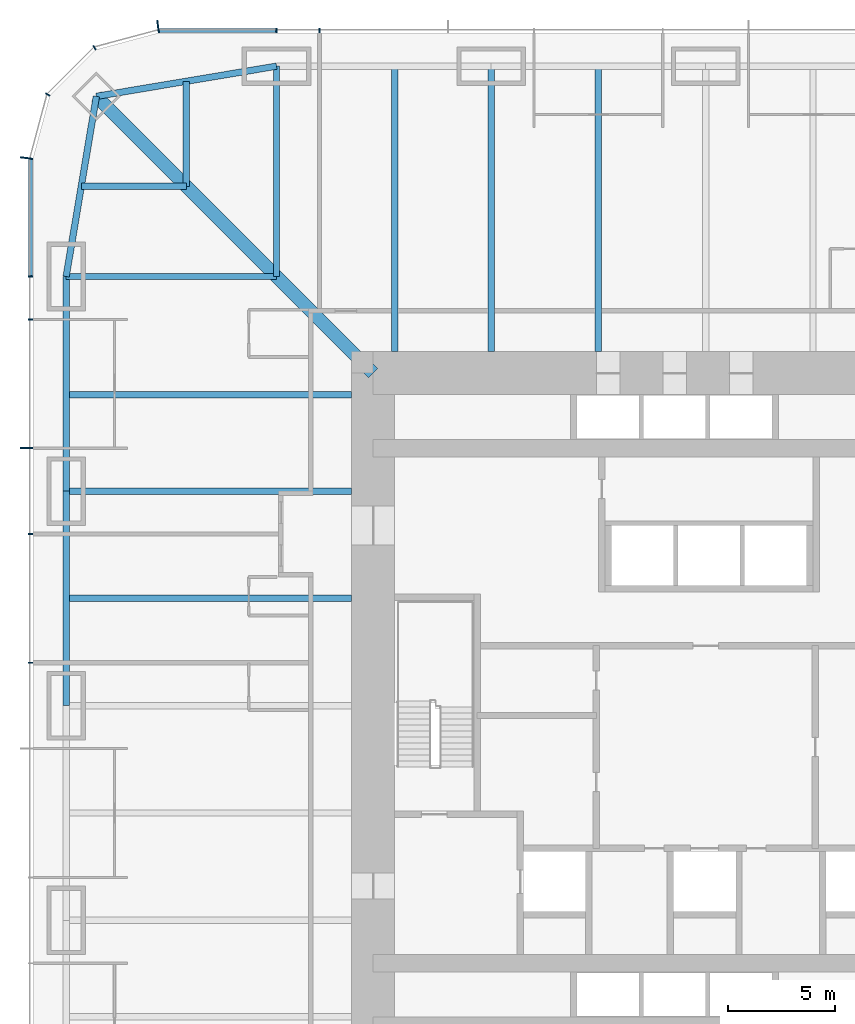
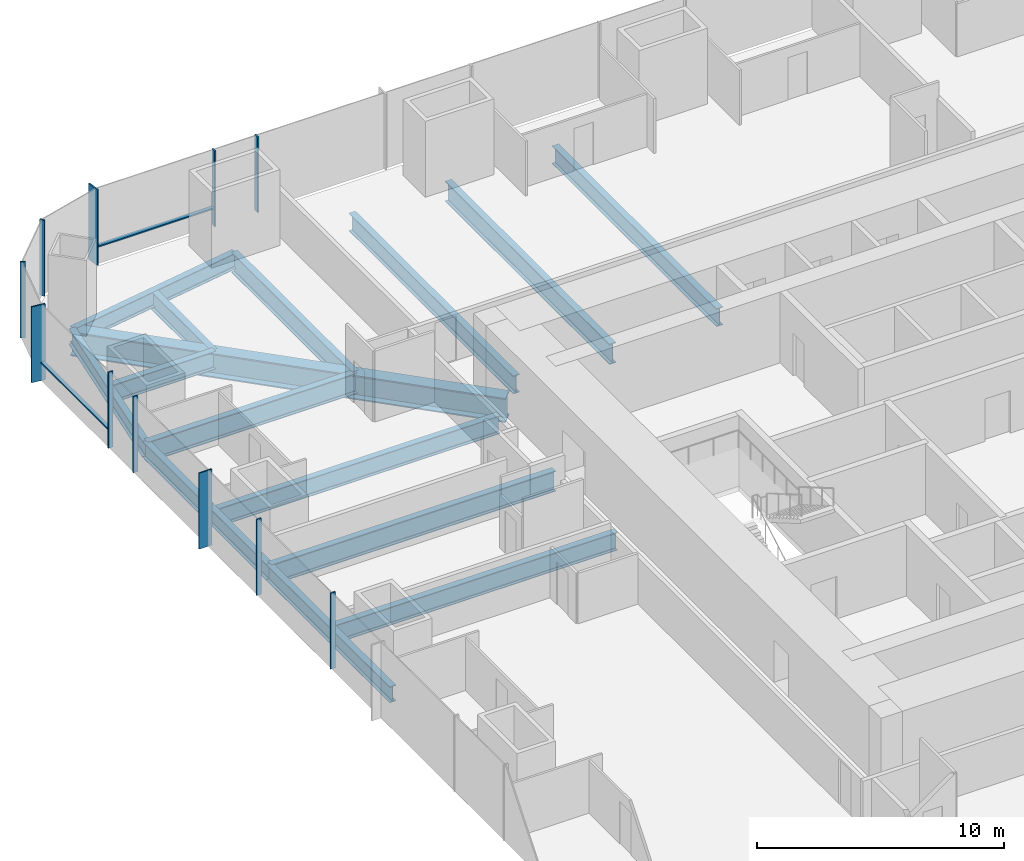
# One storey, part 6 of 17: 15 beams, 13 members, 3 elements without a shape of their own.
"""IFC4 building model written with IfcOpenShell, lengths in metres."""

import ifcopenshell
import ifcopenshell.guid

model = None  # the IFC model being written
_history = None  # IfcOwnerHistory: only IFC2X3 demands one
_inside = {}  # id of a spatial element -> (the spatial element, [elements in it])
_under = {}  # id of a project, library or spatial element -> (it, [spatial elements below it])
_declared = {}  # id of a project -> (the project, [libraries it declares])
_typed = {}  # id of a type object -> (the type object, [elements of that type])
_made_of = {}  # id of a material, layer set ... -> (it, [elements and type objects made of it])


def new_model(schema):
    """Start an empty IFC model of exactly this schema.

    Asked for "IFC4X3", IfcOpenShell would pick the latest addendum, in which some entities
    have other attributes; the version numbers below select the first issue.
    IFC2X3 requires an IfcOwnerHistory on every rooted entity: one is made here for all.
    """
    global model, _history
    if schema == "IFC4X3":
        model = ifcopenshell.file(schema_version=(4, 3, 0, 0))
    else:
        model = ifcopenshell.file(schema=schema)
    _inside.clear()
    _under.clear()
    _declared.clear()
    _typed.clear()
    _made_of.clear()
    _history = None
    if model.schema == "IFC2X3":
        org = make("IfcOrganization", Name="unknown")
        user = make(
            "IfcPersonAndOrganization",
            ThePerson=make("IfcPerson", FamilyName="unknown"),
            TheOrganization=org,
        )
        app = make(
            "IfcApplication",
            ApplicationDeveloper=org,
            Version="unknown",
            ApplicationFullName="unknown",
            ApplicationIdentifier="unknown",
        )
        _history = make(
            "IfcOwnerHistory",
            OwningUser=user,
            OwningApplication=app,
            ChangeAction="ADDED",
            CreationDate=0,
        )
    return model


def make(cls, **values):
    """One entity of the class cls with the attributes given. An attribute that is None is left unset."""
    return model.create_entity(
        cls, **{name: value for name, value in values.items() if value is not None}
    )


def rooted(cls, **values):
    """An entity with a GlobalId (a new one), such as an element, a storey or a relation."""
    return make(cls, GlobalId=ifcopenshell.guid.new(), OwnerHistory=_history, **values)


def si_unit(unit_type, name, prefix=None):
    """IfcSIUnit, for example si_unit("LENGTHUNIT", "METRE", prefix="MILLI")."""
    return make("IfcSIUnit", UnitType=unit_type, Prefix=prefix, Name=name)


def assignment(units):
    """IfcUnitAssignment: the units of a project."""
    return None if units is None else make("IfcUnitAssignment", Units=units)


def point(xyz):
    """IfcCartesianPoint."""
    return None if xyz is None else make("IfcCartesianPoint", Coordinates=xyz)


def direction(xyz):
    """IfcDirection."""
    return None if xyz is None else make("IfcDirection", DirectionRatios=xyz)


def frame(location, z_axis=None, x_axis=None):
    """IfcAxis2Placement3D, a coordinate frame: its origin and axes. An axis left out is left unset."""
    return make(
        "IfcAxis2Placement3D",
        Location=point(location),
        Axis=direction(z_axis),
        RefDirection=direction(x_axis),
    )


def frame_2d(location, x_axis=None):
    """IfcAxis2Placement2D, a coordinate frame in the plane: its origin and x axis."""
    return make(
        "IfcAxis2Placement2D", Location=point(location), RefDirection=direction(x_axis)
    )


def origin():
    """The frame at (0, 0, 0) with its axes left unset."""
    return frame((0.0, 0.0, 0.0))


def origin_2d():
    """The frame at (0, 0) in the plane with its x axis left unset."""
    return frame_2d((0.0, 0.0))


def place(relative_to, where):
    """IfcLocalPlacement: puts the frame where relative to a parent placement (None: the world)."""
    return make(
        "IfcLocalPlacement", PlacementRelTo=relative_to, RelativePlacement=where
    )


def context(
    kind, dimensions, precision=None, world=None, true_north=None, identifier=None
):
    """IfcGeometricRepresentationContext, for example the 3D "Model" context."""
    return make(
        "IfcGeometricRepresentationContext",
        ContextIdentifier=identifier,
        ContextType=kind,
        CoordinateSpaceDimension=dimensions,
        Precision=precision,
        WorldCoordinateSystem=world,
        TrueNorth=true_north,
    )


def subcontext(parent, identifier, kind, view, scale=None):
    """IfcGeometricRepresentationSubContext, for example "Body" below "Model"."""
    return make(
        "IfcGeometricRepresentationSubContext",
        ContextIdentifier=identifier,
        ContextType=kind,
        ParentContext=parent,
        TargetScale=scale,
        TargetView=view,
    )


def project(units=None, contexts=None):
    """IfcProject with its units and contexts."""
    return rooted(
        "IfcProject",
        Name="project",
        RepresentationContexts=contexts,
        UnitsInContext=assignment(units),
    )


def spatial(cls, under=None, at=None, **own):
    """A site, building, storey or space (cls), placed at a placement, below another one or the project."""
    s = rooted(cls, ObjectPlacement=at, **own)
    if under is not None:
        _under.setdefault(under.id(), (under, []))[1].append(s)
    return s


def profile(cls, at=None, kind="AREA", **sizes):
    """A parametric profile (cls). Its sizes go by their IFC names, for example OverallWidth=200.0."""
    return make(cls, ProfileType=kind, Position=at, **sizes)


def rectangle(**sizes):
    """IfcRectangleProfileDef."""
    return profile("IfcRectangleProfileDef", **sizes)


def i_section(**sizes):
    """IfcIShapeProfileDef."""
    return profile("IfcIShapeProfileDef", **sizes)


def extrude(swept, where, along, depth):
    """IfcExtrudedAreaSolid: the profile swept, set in the frame where, extruded along a direction by depth."""
    return make(
        "IfcExtrudedAreaSolid",
        SweptArea=swept,
        Position=where,
        ExtrudedDirection=direction(along),
        Depth=depth,
    )


def shape(context_of_items, identifier, shape_type, items):
    """IfcShapeRepresentation: the items that make up one representation, for example the "Body"."""
    return make(
        "IfcShapeRepresentation",
        ContextOfItems=context_of_items,
        RepresentationIdentifier=identifier,
        RepresentationType=shape_type,
        Items=items,
    )


def material(Name=None, Category=None):
    """IfcMaterial."""
    return make("IfcMaterial", Name=Name, Category=Category)


def material_profile(
    of_material, cross_section, Name=None, Category=None, Priority=None
):
    """IfcMaterialProfile: a cross section and its material."""
    return make(
        "IfcMaterialProfile",
        Name=Name,
        Material=of_material,
        Profile=cross_section,
        Priority=Priority,
        Category=Category,
    )


def profile_set(profiles, Name=None, composite=None):
    """IfcMaterialProfileSet."""
    return make(
        "IfcMaterialProfileSet",
        Name=Name,
        MaterialProfiles=profiles,
        CompositeProfile=composite,
    )


def made_of(thing, what):
    """Note that an element or type object is made of a material, layer set ...; save() writes the relation."""
    if what is not None:
        _made_of.setdefault(what.id(), (what, []))[1].append(thing)
    return thing


def type_object(cls, material=None, **own):
    """A type object (cls), such as IfcWallType, which elements share."""
    return made_of(rooted(cls, **own), material)


def element(
    cls,
    number,
    at=None,
    inside=None,
    cuts=None,
    type_object=None,
    material=None,
    context=None,
    identifier="Body",
    shape_type=None,
    held_by="IfcProductDefinitionShape",
    body=None,
    shapes=None,
    **own,
):
    """One element of the class cls, such as IfcWall. Its Tag is "e" and its number.

    at: its placement. inside: the storey or other place that contains it. cuts: it is an
    opening in that element (IfcRelVoidsElement). A single representation is given by context,
    identifier, shape_type and body (its items); several are given by shapes. held_by: the class
    of the entity that holds the representations. save() writes the other relations.
    """
    e = rooted(cls, Tag="e%d" % number, ObjectPlacement=at, **own)
    if body is not None:
        shapes = [shape(context, identifier, shape_type, body)]
    if shapes is not None:
        e.Representation = make(held_by, Representations=shapes)
    if inside is not None:
        _inside.setdefault(inside.id(), (inside, []))[1].append(e)
    if cuts is not None:
        rooted(
            "IfcRelVoidsElement", RelatingBuildingElement=cuts, RelatedOpeningElement=e
        )
    if type_object is not None:
        _typed.setdefault(type_object.id(), (type_object, []))[1].append(e)
    return made_of(e, material)


def aggregate(whole, parts):
    """IfcRelAggregates: a whole, such as a stair, and the parts it consists of."""
    return rooted("IfcRelAggregates", RelatingObject=whole, RelatedObjects=parts)


def save(model, path):
    """Write the relations noted so far, then the file.

    IfcRelAggregates (storeys below a building ...), IfcRelContainedInSpatialStructure (elements
    in a storey), IfcRelDefinesByType, IfcRelAssociatesMaterial and IfcRelDeclares: one each for
    every whole, place, type object, material and project.
    """
    for whole, parts in _under.values():
        aggregate(whole, parts)
    for where, things in _inside.values():
        rooted(
            "IfcRelContainedInSpatialStructure",
            RelatedElements=things,
            RelatingStructure=where,
        )
    for kind, things in _typed.values():
        rooted("IfcRelDefinesByType", RelatedObjects=things, RelatingType=kind)
    for what, things in _made_of.values():
        rooted("IfcRelAssociatesMaterial", RelatedObjects=things, RelatingMaterial=what)
    for by, libraries in _declared.values():
        rooted("IfcRelDeclares", RelatingContext=by, RelatedDefinitions=libraries)
    model.write(path)


model = new_model("IFC4")

# Units and contexts
model_context = context("Model", 3, precision=1e-05, world=origin(), true_north=direction((0.0, 1.0)))
body_context = subcontext(model_context, "Body", "Model", "MODEL_VIEW")
ifc_project = project(units=[si_unit("LENGTHUNIT", "METRE"), si_unit("AREAUNIT", "SQUARE_METRE"), si_unit("VOLUMEUNIT", "CUBIC_METRE"), si_unit("PLANEANGLEUNIT", "RADIAN"), si_unit("MASSUNIT", "GRAM", prefix="KILO")], contexts=[model_context])

# Site, building, storey
site_placement = place(None, origin())
site = spatial("IfcSite", under=ifc_project, at=site_placement, CompositionType="ELEMENT")
building_placement = place(site_placement, origin())
building = spatial("IfcBuilding", under=site, at=building_placement, Name="Khuree Lantern Residences", CompositionType="ELEMENT")
storey_placement = place(building_placement, frame((0.0, 0.0, 58.5)))
storey = spatial("IfcBuildingStorey", under=building, at=storey_placement, Name="L14", CompositionType="ELEMENT", Elevation=58.5)

# Beams
ifc_material_1 = material(Name="Steel S355", Category="steel")
ifc_material_profile_1 = material_profile(ifc_material_1, i_section(OverallWidth=0.300048828125, OverallDepth=0.889892578125, WebThickness=0.01611328125, FlangeThickness=0.030029296875, FilletRadius=0.030029296875, at=origin_2d()), Name="HE 900 A")
ifc_profile_set_1 = profile_set([ifc_material_profile_1], Name="Steel S355")
beam_type_1 = type_object("IfcBeamType", Name="B-13 SECONDARY BEAM HE 900 A", PredefinedType="BEAM", material=ifc_profile_set_1)
for number, where, z_axis, x_axis, name in (
    (1, (-14.5, 29.800048828125, -0.695068359375), (0.0, -1.0, 0.0), (1.0, 0.0, 0.0), "Secondary beam N1"),
    (2, (-5.0, 29.800048828125, -0.695068359375), (0.0, -1.0, 0.0), (1.0, 0.0, 0.0), "Secondary beam N2"),
    (3, (-29.800048828125, 5.0, -0.695068359375), (1.0, 0.0, 0.0), (0.0, 1.0, 0.0), "Secondary beam W4"),
    (4, (-29.800048828125, 14.5, -0.695068359375), (1.0, 0.0, 0.0), (0.0, 1.0, 0.0), "Secondary beam W5"),
):
    element("IfcBeam", number, at=place(storey_placement, frame(where, z_axis=z_axis, x_axis=x_axis)), inside=storey, type_object=beam_type_1, Name=name, PredefinedType="BEAM", context=body_context, shape_type="SweptSolid", body=[
        extrude(i_section(OverallWidth=0.300048828125, OverallDepth=0.889892578125, WebThickness=0.01611328125, FlangeThickness=0.030029296875, FilletRadius=0.030029296875, at=origin_2d()), origin(), (0.0, 0.0, 1.0), 13.300048828125),
    ])
for number, where, z_axis, x_axis, name in (
    (5, (-29.09716796875, 24.197021484375, -0.695068359375), (1.0, 0.0, 0.0), (0.0, 1.0, 0.0), "Secondary beam W6"),
    (6, (-24.197021484375, 29.09716796875, -0.695068359375), (0.0, -1.0, 0.0), (1.0, 0.0, 0.0), "Secondary beam N6"),
):
    element("IfcBeam", number, at=place(storey_placement, frame(where, z_axis=z_axis, x_axis=x_axis)), inside=storey, type_object=beam_type_1, Name=name, PredefinedType="BEAM", context=body_context, shape_type="SweptSolid", body=[
        extrude(i_section(OverallWidth=0.300048828125, OverallDepth=0.889892578125, WebThickness=0.01611328125, FlangeThickness=0.030029296875, FilletRadius=0.030029296875, at=origin_2d()), origin(), (0.0, 0.0, 1.0), 4.900146484375),
    ])
ifc_material_profile_2 = material_profile(ifc_material_1, i_section(OverallWidth=0.300048828125, OverallDepth=0.7900390625, WebThickness=0.014892578125, FlangeThickness=0.028076171875, FilletRadius=0.030029296875, at=origin_2d()), Name="HE 800 A")
ifc_profile_set_2 = profile_set([ifc_material_profile_2], Name="Steel S355")
beam_type_2 = type_object("IfcBeamType", Name="E-13 SPANDREL BEAM HE 800 A", PredefinedType="SPANDREL", material=ifc_profile_set_2)
for number, where, z_axis, x_axis, name in (
    (7, (-29.800048828125, 0.0, -0.64501953125), (0.0, 1.0, 0.0), (-1.0, 0.0, 0.0), "Spandrel beam W4"),
    (8, (-29.800048828125, 10.0, -0.64501953125), (0.0, 1.0, 0.0), (-1.0, 0.0, 0.0), "Spandrel beam W5"),
):
    element("IfcBeam", number, at=place(storey_placement, frame(where, z_axis=z_axis, x_axis=x_axis)), inside=storey, type_object=beam_type_2, Name=name, PredefinedType="SPANDREL", context=body_context, shape_type="SweptSolid", body=[
        extrude(i_section(OverallWidth=0.300048828125, OverallDepth=0.7900390625, WebThickness=0.014892578125, FlangeThickness=0.028076171875, FilletRadius=0.030029296875, at=origin_2d()), origin(), (0.0, 0.0, 1.0), 10.0),
    ])
for number, where, z_axis, x_axis, name in (
    (9, (-29.800048828125, 20.0, -0.64501953125), (0.165199022349, 0.986260251158, 0.0), (-0.986260251158, 0.165199022349, 0.0), "Spandrel beam W6"),
    (10, (-28.39404296875, 28.39404296875, -0.64501953125), (0.986260251158, 0.165199022349, 0.0), (-0.165199022349, 0.986260251158, 0.0), "Spandrel beam N6"),
):
    element("IfcBeam", number, at=place(storey_placement, frame(where, z_axis=z_axis, x_axis=x_axis)), inside=storey, type_object=beam_type_2, Name=name, PredefinedType="SPANDREL", context=body_context, shape_type="SweptSolid", body=[
        extrude(i_section(OverallWidth=0.300048828125, OverallDepth=0.7900390625, WebThickness=0.014892578125, FlangeThickness=0.028076171875, FilletRadius=0.030029296875, at=origin_2d()), origin(), (0.0, 0.0, 1.0), 8.510986328125),
    ])

# Curtain wall, member
ifc_material_2 = material(Name="Bronze anodised aluminium", Category="aluminium")
curtain_wall_type_1 = type_object("IfcCurtainWallType", Name="CW-T2 TOWER CORNER CURTAIN WALL", PredefinedType="USERDEFINED", material=ifc_material_2)
curtain_wall_1_placement = place(storey_placement, origin())
curtain_wall_1 = element("IfcCurtainWall", 11, at=curtain_wall_1_placement, inside=storey, type_object=curtain_wall_type_1, Name="L14 NORTH-WEST CORNER CURTAIN WALL", ObjectType="Faceted corner curtain wall", PredefinedType="USERDEFINED")
ifc_material_profile_3 = material_profile(ifc_material_2, rectangle(XDim=0.06494140625, YDim=0.60009765625, at=origin_2d()), Name="F1 65X600")
ifc_profile_set_3 = profile_set([ifc_material_profile_3], Name="Bronze anodised aluminium")
member_type_1 = type_object("IfcMemberType", Name="F1 BRONZE FIN MULLION TOWER 65X600", PredefinedType="MULLION", material=ifc_profile_set_3)
member_1_placement = place(storey_placement, frame((-25.519775390625, 31.650146484375, 0.0), z_axis=(0.0, 0.0, 1.0), x_axis=(-0.991444852794, -0.130526257387, 0.0)))
member_1 = element("IfcMember", 12, at=member_1_placement, type_object=member_type_1, Name="L14 NORTH-WEST CORNER FIN MULLION 29", PredefinedType="MULLION", context=body_context, shape_type="SweptSolid", body=[
    extrude(rectangle(XDim=0.06494140625, YDim=0.60009765625, at=origin_2d()), origin(), (0.0, 0.0, 1.0), 3.75),
])

# Curtain wall, members
curtain_wall_type_2 = type_object("IfcCurtainWallType", Name="CW-T1 TOWER FACE CURTAIN WALL", PredefinedType="USERDEFINED", material=ifc_material_2)
curtain_wall_2_placement = place(storey_placement, origin())
curtain_wall_2 = element("IfcCurtainWall", 13, at=curtain_wall_2_placement, inside=storey, type_object=curtain_wall_type_2, Name="L14 WEST FACE CURTAIN WALL", ObjectType="Stick-built curtain wall", PredefinedType="USERDEFINED")
member_2_placement = place(storey_placement, frame((-31.650146484375, 25.519775390625, 0.0), z_axis=(0.0, 0.0, 1.0), x_axis=(-0.130526257387, -0.991444852794, 0.0)))
member_2 = element("IfcMember", 14, at=member_2_placement, type_object=member_type_1, Name="L14 WEST FACE FIN MULLION 32", PredefinedType="MULLION", context=body_context, shape_type="SweptSolid", body=[
    extrude(rectangle(XDim=0.06494140625, YDim=0.60009765625, at=origin_2d()), origin(), (0.0, 0.0, 1.0), 3.75),
])
member_3_placement = place(storey_placement, frame((-31.64990234375, 12.0, 0.0), z_axis=(0.0, 0.0, 1.0), x_axis=(0.0, -1.0, 0.0)))
member_3 = element("IfcMember", 15, at=member_3_placement, type_object=member_type_1, Name="L14 WEST FACE FIN MULLION 35", PredefinedType="MULLION", context=body_context, shape_type="SweptSolid", body=[
    extrude(rectangle(XDim=0.06494140625, YDim=0.60009765625, at=origin_2d()), origin(), (0.0, 0.0, 1.0), 3.75),
])

# Beams
ifc_material_profile_4 = material_profile(ifc_material_1, i_section(OverallWidth=0.302001953125, OverallDepth=1.008056640625, WebThickness=0.02099609375, FlangeThickness=0.0400390625, FilletRadius=0.030029296875, at=origin_2d()), Name="HE 1000 M")
ifc_profile_set_4 = profile_set([ifc_material_profile_4], Name="Steel S355")
beam_type_3 = type_object("IfcBeamType", Name="G-13 GIRDER HE 1000 M", PredefinedType="BEAM", material=ifc_profile_set_4)
beam_1_placement = place(storey_placement, frame((-20.0, 29.800048828125, -0.75390625), z_axis=(0.0, -1.0, 0.0), x_axis=(1.0, 0.0, 0.0)))
element("IfcBeam", 16, at=beam_1_placement, inside=storey, type_object=beam_type_3, Name="Girder N1", PredefinedType="BEAM", context=body_context, shape_type="SweptSolid", body=[
    extrude(i_section(OverallWidth=0.302001953125, OverallDepth=1.008056640625, WebThickness=0.02099609375, FlangeThickness=0.0400390625, FilletRadius=0.030029296875, at=origin_2d()), origin(), (0.0, 0.0, 1.0), 9.800048828125),
])
for number, where, z_axis, x_axis, name in (
    (17, (-10.0, 29.800048828125, -0.75390625), (0.0, -1.0, 0.0), (1.0, 0.0, 0.0), "Girder N2"),
    (18, (-29.800048828125, 10.0, -0.75390625), (1.0, 0.0, 0.0), (0.0, 1.0, 0.0), "Girder W4"),
):
    element("IfcBeam", number, at=place(storey_placement, frame(where, z_axis=z_axis, x_axis=x_axis)), inside=storey, type_object=beam_type_3, Name=name, PredefinedType="BEAM", context=body_context, shape_type="SweptSolid", body=[
        extrude(i_section(OverallWidth=0.302001953125, OverallDepth=1.008056640625, WebThickness=0.02099609375, FlangeThickness=0.0400390625, FilletRadius=0.030029296875, at=origin_2d()), origin(), (0.0, 0.0, 1.0), 13.300048828125),
    ])
beam_2_placement = place(storey_placement, frame((-29.800048828125, 20.0, -0.75390625), z_axis=(1.0, 0.0, 0.0), x_axis=(0.0, 1.0, 0.0)))
element("IfcBeam", 19, at=beam_2_placement, inside=storey, type_object=beam_type_3, Name="Girder W5", PredefinedType="BEAM", context=body_context, shape_type="SweptSolid", body=[
    extrude(i_section(OverallWidth=0.302001953125, OverallDepth=1.008056640625, WebThickness=0.02099609375, FlangeThickness=0.0400390625, FilletRadius=0.030029296875, at=origin_2d()), origin(), (0.0, 0.0, 1.0), 9.800048828125),
])
ifc_material_profile_5 = material_profile(ifc_material_1, i_section(OverallWidth=0.60009765625, OverallDepth=1.199951171875, WebThickness=0.030029296875, FlangeThickness=0.06005859375, at=origin_2d()), Name="WELDED I 1200X600X30X60")
ifc_profile_set_5 = profile_set([ifc_material_profile_5], Name="Steel S355")
beam_type_4 = type_object("IfcBeamType", Name="GD-13 CORNER GIRDER WELDED I 1200X600X30X60", PredefinedType="BEAM", material=ifc_profile_set_5)
beam_3_placement = place(storey_placement, frame((-28.39404296875, 28.39404296875, -0.85009765625), z_axis=(0.707106781187, -0.707106781187, 0.0), x_axis=(0.707106781187, 0.707106781187, 0.0)))
element("IfcBeam", 20, at=beam_3_placement, inside=storey, type_object=beam_type_4, Name="Corner girder NW", PredefinedType="BEAM", context=body_context, shape_type="SweptSolid", body=[
    extrude(i_section(OverallWidth=0.60009765625, OverallDepth=1.199951171875, WebThickness=0.030029296875, FlangeThickness=0.06005859375, at=origin_2d()), origin(), (0.0, 0.0, 1.0), 18.23486328125),
])

# Curtain wall, members
curtain_wall_3_placement = place(storey_placement, origin())
curtain_wall_3 = element("IfcCurtainWall", 21, at=curtain_wall_3_placement, inside=storey, type_object=curtain_wall_type_2, Name="L14 NORTH FACE CURTAIN WALL", ObjectType="Stick-built curtain wall", PredefinedType="USERDEFINED")
ifc_material_profile_6 = material_profile(ifc_material_2, rectangle(XDim=0.06494140625, YDim=0.219970703125, at=origin_2d()), Name="M1 65X220")
ifc_profile_set_6 = profile_set([ifc_material_profile_6], Name="Bronze anodised aluminium")
member_type_2 = type_object("IfcMemberType", Name="M1 BRONZE MULLION TOWER 65X220", PredefinedType="MULLION", material=ifc_profile_set_6)
member_4_placement = place(storey_placement, frame((-18.0, 31.4599609375, 0.0), z_axis=(0.0, 0.0, 1.0), x_axis=(-1.0, 0.0, 0.0)))
member_4 = element("IfcMember", 22, at=member_4_placement, type_object=member_type_2, Name="L14 NORTH FACE MULLION 27", PredefinedType="MULLION", context=body_context, shape_type="SweptSolid", body=[
    extrude(rectangle(XDim=0.06494140625, YDim=0.219970703125, at=origin_2d()), origin(), (0.0, 0.0, 1.0), 3.75),
])
member_5_placement = place(storey_placement, frame((-20.0, 31.4599609375, 0.0), z_axis=(0.0, 0.0, 1.0), x_axis=(-1.0, 0.0, 0.0)))
member_5 = element("IfcMember", 23, at=member_5_placement, type_object=member_type_2, Name="L14 NORTH FACE MULLION 28", PredefinedType="MULLION", context=body_context, shape_type="SweptSolid", body=[
    extrude(rectangle(XDim=0.06494140625, YDim=0.219970703125, at=origin_2d()), origin(), (0.0, 0.0, 1.0), 3.75),
])

# Member
member_6_placement = place(storey_placement, frame((-28.47998046875, 30.66162109375, 0.0), z_axis=(0.0, 0.0, 1.0), x_axis=(-0.86602537092, -0.500000056923, 0.0)))
member_6 = element("IfcMember", 24, at=member_6_placement, type_object=member_type_2, Name="L14 NORTH-WEST CORNER MULLION 30", PredefinedType="MULLION", context=body_context, shape_type="SweptSolid", body=[
    extrude(rectangle(XDim=0.06494140625, YDim=0.219970703125, at=origin_2d()), origin(), (0.0, 0.0, 1.0), 3.75),
])

member_7_placement = place(storey_placement, frame((-30.66162109375, 28.47998046875, 0.0), z_axis=(0.0, 0.0, 1.0), x_axis=(-0.500000056923, -0.86602537092, 0.0)))
member_7 = element("IfcMember", 25, at=member_7_placement, type_object=member_type_2, Name="L14 NORTH-WEST CORNER MULLION 31", PredefinedType="MULLION", context=body_context, shape_type="SweptSolid", body=[
    extrude(rectangle(XDim=0.06494140625, YDim=0.219970703125, at=origin_2d()), origin(), (0.0, 0.0, 1.0), 3.75),
])

aggregate(curtain_wall_1, [member_1, member_6, member_7])

member_8_placement = place(storey_placement, frame((-31.4599609375, 20.0, 0.0), z_axis=(0.0, 0.0, 1.0), x_axis=(0.0, -1.0, 0.0)))
member_8 = element("IfcMember", 26, at=member_8_placement, type_object=member_type_2, Name="L14 WEST FACE MULLION 33", PredefinedType="MULLION", context=body_context, shape_type="SweptSolid", body=[
    extrude(rectangle(XDim=0.06494140625, YDim=0.219970703125, at=origin_2d()), origin(), (0.0, 0.0, 1.0), 3.75),
])

member_9_placement = place(storey_placement, frame((-31.4599609375, 18.0, 0.0), z_axis=(0.0, 0.0, 1.0), x_axis=(0.0, -1.0, 0.0)))
member_9 = element("IfcMember", 27, at=member_9_placement, type_object=member_type_2, Name="L14 WEST FACE MULLION 34", PredefinedType="MULLION", context=body_context, shape_type="SweptSolid", body=[
    extrude(rectangle(XDim=0.06494140625, YDim=0.219970703125, at=origin_2d()), origin(), (0.0, 0.0, 1.0), 3.75),
])

member_10_placement = place(storey_placement, frame((-31.4599609375, 8.0, 0.0), z_axis=(0.0, 0.0, 1.0), x_axis=(0.0, -1.0, 0.0)))
member_10 = element("IfcMember", 28, at=member_10_placement, type_object=member_type_2, Name="L14 WEST FACE MULLION 36", PredefinedType="MULLION", context=body_context, shape_type="SweptSolid", body=[
    extrude(rectangle(XDim=0.06494140625, YDim=0.219970703125, at=origin_2d()), origin(), (0.0, 0.0, 1.0), 3.75),
])

member_11_placement = place(storey_placement, frame((-31.4599609375, 2.0, 0.0), z_axis=(0.0, 0.0, 1.0), x_axis=(0.0, -1.0, 0.0)))
member_11 = element("IfcMember", 29, at=member_11_placement, type_object=member_type_2, Name="L14 WEST FACE MULLION 37", PredefinedType="MULLION", context=body_context, shape_type="SweptSolid", body=[
    extrude(rectangle(XDim=0.06494140625, YDim=0.219970703125, at=origin_2d()), origin(), (0.0, 0.0, 1.0), 3.75),
])

ifc_material_profile_7 = material_profile(ifc_material_2, rectangle(XDim=0.179931640625, YDim=0.06494140625, at=origin_2d()), Name="T1 180X65")
ifc_profile_set_7 = profile_set([ifc_material_profile_7], Name="Bronze anodised aluminium")
member_type_3 = type_object("IfcMemberType", Name="TRANSOM T1 TOWER 180X65", PredefinedType="USERDEFINED", material=ifc_profile_set_7)
member_12_placement = place(storey_placement, frame((-20.032470703125, 31.469970703125, 0.89990234375), z_axis=(-1.0, 0.0, 0.0), x_axis=(0.0, -1.0, 0.0)))
member_12 = element("IfcMember", 30, at=member_12_placement, type_object=member_type_3, Name="L14 NORTH FACE TRANSOM 28.1", ObjectType="Transom", PredefinedType="USERDEFINED", context=body_context, shape_type="SweptSolid", body=[
    extrude(rectangle(XDim=0.179931640625, YDim=0.06494140625, at=origin_2d()), origin(), (0.0, 0.0, 1.0), 5.4189453125),
])

aggregate(curtain_wall_3, [member_4, member_5, member_12])

member_13_placement = place(storey_placement, frame((-31.469970703125, 25.451416015625, 0.89990234375), z_axis=(0.0, -1.0, 0.0), x_axis=(1.0, 0.0, 0.0)))
member_13 = element("IfcMember", 31, at=member_13_placement, type_object=member_type_3, Name="L14 WEST FACE TRANSOM 32.1", ObjectType="Transom", PredefinedType="USERDEFINED", context=body_context, shape_type="SweptSolid", body=[
    extrude(rectangle(XDim=0.179931640625, YDim=0.06494140625, at=origin_2d()), origin(), (0.0, 0.0, 1.0), 5.4189453125),
])

aggregate(curtain_wall_2, [member_2, member_8, member_9, member_3, member_10, member_11, member_13])

save(model, "model.ifc")
